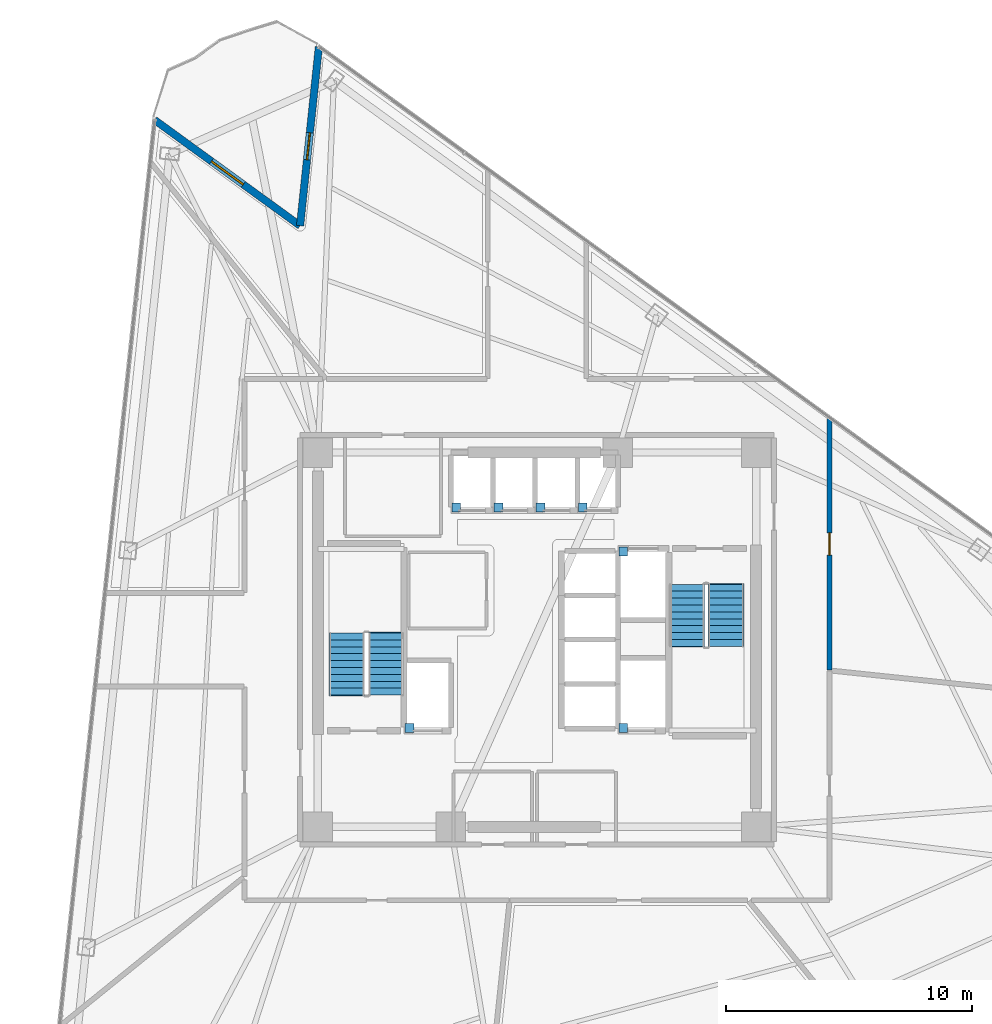
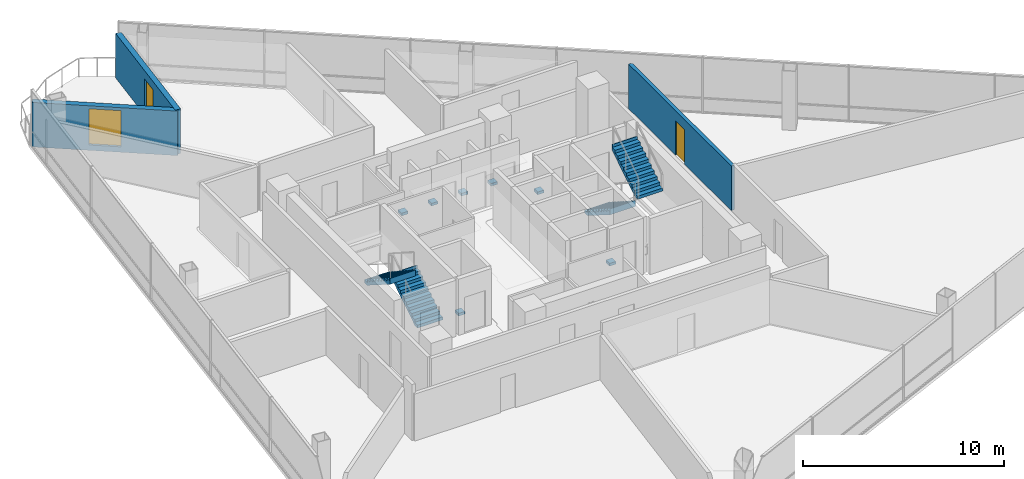
# One storey, part 13 of 17: 7 discrete accessories, 4 stair flights, 3 walls, 2 doors, 1 window, 3 openings, 2 elements without a shape of their own.
"""IFC4 building model written with IfcOpenShell, lengths in metres."""

from ifc_helpers import new_model, si_unit, direction, frame, frame_2d, origin, origin_2d, place, context, subcontext, project, spatial, polyline, rectangle, outline, extrude, material, layer, layer_set, type_object, element, fill, aggregate, save


model = new_model("IFC4")

# Units and contexts
model_context = context("Model", 3, precision=1e-05, world=origin(), true_north=direction((0.0, 1.0)))
body_context = subcontext(model_context, "Body", "Model", "MODEL_VIEW")
ifc_project = project(units=[si_unit("LENGTHUNIT", "METRE"), si_unit("AREAUNIT", "SQUARE_METRE"), si_unit("VOLUMEUNIT", "CUBIC_METRE"), si_unit("PLANEANGLEUNIT", "RADIAN"), si_unit("MASSUNIT", "GRAM", prefix="KILO")], contexts=[model_context])

# Site, building, storey
site_placement = place(None, origin())
site = spatial("IfcSite", under=ifc_project, at=site_placement, CompositionType="ELEMENT")
building_placement = place(site_placement, origin())
building = spatial("IfcBuilding", under=site, at=building_placement, Name="Tharavind Bronze Gate", CompositionType="ELEMENT")
storey_placement = place(building_placement, frame((0.0, 0.0, 119.64990234375)))
storey = spatial("IfcBuildingStorey", under=building, at=storey_placement, Name="L30", CompositionType="ELEMENT", Elevation=119.64990234375)

# Wall, opening, door
ifc_material_1 = material(Name="Concrete C40/50", Category="concrete")
ifc_layer_1 = layer(ifc_material_1, 0.300048828125)
ifc_layer_set_1 = layer_set([ifc_layer_1], Name="Concrete C40/50")
wall_type_1 = type_object("IfcWallType", Name="EXTERIOR SPANDREL WALL 300", PredefinedType="STANDARD", material=ifc_layer_set_1)
wall_1_placement = place(storey_placement, frame((-8.85888671875, 24.07080078125, 0.0), z_axis=(0.0, 0.0, 1.0), x_axis=(-0.104512431924, -0.9945235802, 0.0)))
wall_1 = element("IfcWall", 1, at=wall_1_placement, inside=storey, type_object=wall_type_1, Name="L30 notch cheek wall 1A", PredefinedType="STANDARD", context=body_context, shape_type="SweptSolid", body=[
    extrude(rectangle(XDim=7.300048828125, YDim=0.300048828125, at=frame_2d((3.64990234375, 0.0))), origin(), (0.0, 0.0, 1.0), 2.705078125),
])
opening_1_placement = place(wall_1_placement, frame((3.508056640625, 0.0, 0.0)))
opening_1 = element("IfcOpeningElement", 2, at=opening_1_placement, cuts=wall_1, Name="Opening ED04", PredefinedType="OPENING", context=body_context, shape_type="SweptSolid", body=[
    extrude(rectangle(XDim=1.10009765625, YDim=2.199951171875, at=frame_2d((0.550048828125, 1.10009765625))), frame((0.0, 0.15990234375, 0.0), z_axis=(0.0, -1.0, 0.0), x_axis=(1.0, 0.0, 0.0)), (0.0, 0.0, 1.0), 0.320048828125),
])
ifc_material_2 = material(Name="Bronze Aluminium & Toughened Glass", Category="aluminium")
door_type_1 = type_object("IfcDoorType", Name="TREE BALCONY ACCESS DOOR 1100X2200", OperationType="SINGLE_SWING_LEFT", PredefinedType="DOOR", material=ifc_material_2)
door_1_placement = place(opening_1_placement, origin())
door_1 = element("IfcDoor", 3, at=door_1_placement, inside=storey, type_object=door_type_1, Name="L30 tree balcony access door", OperationType="SINGLE_SWING_LEFT", OverallHeight=2.199951171875, OverallWidth=1.10009765625, PredefinedType="DOOR", context=body_context, shape_type="SweptSolid", body=[
    extrude(rectangle(XDim=1.10009765625, YDim=2.199951171875, at=frame_2d((0.550048828125, 1.10009765625))), frame((0.0, 0.02490234375, 0.0), z_axis=(0.0, -1.0, 0.0), x_axis=(1.0, 0.0, 0.0)), (0.0, 0.0, 1.0), 0.050048828125),
])
fill(opening_1, door_1)

# Wall, opening, window
wall_2_placement = place(storey_placement, frame((-9.621826171875, 16.810791015625, 0.0), z_axis=(0.0, 0.0, 1.0), x_axis=(-0.809002104592, 0.587805745775, 0.0)))
wall_2 = element("IfcWall", 4, at=wall_2_placement, inside=storey, type_object=wall_type_1, Name="L30 notch cheek wall 1B", PredefinedType="STANDARD", context=body_context, shape_type="SweptSolid", body=[
    extrude(rectangle(XDim=7.300048828125, YDim=0.300048828125, at=frame_2d((3.64990234375, 0.0))), origin(), (0.0, 0.0, 1.0), 2.705078125),
])
opening_2_placement = place(wall_2_placement, frame((2.85009765625, 0.0, 0.324951171875)))
opening_2 = element("IfcOpeningElement", 5, at=opening_2_placement, cuts=wall_2, Name="Opening W05", PredefinedType="OPENING", context=body_context, shape_type="SweptSolid", body=[
    extrude(rectangle(XDim=1.60009765625, YDim=2.199951171875, at=frame_2d((0.800048828125, 1.10009765625))), frame((0.0, 0.15990234375, 0.0), z_axis=(0.0, -1.0, 0.0), x_axis=(1.0, 0.0, 0.0)), (0.0, 0.0, 1.0), 0.320048828125),
])
ifc_material_3 = material(Name="Bronze Aluminium & Low-E Glass", Category="aluminium")
window_type = type_object("IfcWindowType", Name="OFFICE NOTCH BRONZE WINDOW 1600X2200", PartitioningType="DOUBLE_PANEL_VERTICAL", PredefinedType="WINDOW", material=ifc_material_3)
window_placement = place(opening_2_placement, origin())
window = element("IfcWindow", 6, at=window_placement, inside=storey, type_object=window_type, Name="L30 exterior window WL-L30-NCB1-01", OverallHeight=2.199951171875, OverallWidth=1.60009765625, PartitioningType="SINGLE_PANEL", PredefinedType="WINDOW", context=body_context, shape_type="SweptSolid", body=[
    extrude(rectangle(XDim=1.60009765625, YDim=2.199951171875, at=frame_2d((0.800048828125, 1.10009765625))), frame((0.0, 0.030029296875, 0.0), z_axis=(0.0, -1.0, 0.0), x_axis=(1.0, 0.0, 0.0)), (0.0, 0.0, 1.0), 0.06005859375),
])
fill(opening_2, window)

# Wall, opening, door
ifc_material_4 = material(Name="Aerated Concrete Block", Category="concrete")
ifc_layer_2 = layer(ifc_material_4, 0.199951171875)
ifc_layer_set_2 = layer_set([ifc_layer_2], Name="Aerated Concrete Block")
wall_type_2 = type_object("IfcWallType", Name="FIRE RATED PARTITION 200", PredefinedType="PARTITIONING", material=ifc_layer_set_2)
wall_3_placement = place(storey_placement, frame((11.8798828125, -1.22607421875, 0.0), z_axis=(0.0, 0.0, 1.0), x_axis=(0.0, 1.0, 0.0)))
wall_3 = element("IfcWall", 7, at=wall_3_placement, inside=storey, type_object=wall_type_2, Name="L30 Tea Pantry partition", PredefinedType="PARTITIONING", context=body_context, shape_type="SweptSolid", body=[
    extrude(rectangle(XDim=10.2294921875, YDim=0.199951171875, at=frame_2d((5.11474609375, 0.0))), origin(), (0.0, 0.0, 1.0), 2.705078125),
])
opening_3_placement = place(wall_3_placement, frame((4.6650390625, 0.0, 0.0)))
opening_3 = element("IfcOpeningElement", 8, at=opening_3_placement, cuts=wall_3, Name="Opening ID07", PredefinedType="OPENING", context=body_context, shape_type="SweptSolid", body=[
    extrude(rectangle(XDim=0.89990234375, YDim=2.10009765625, at=frame_2d((0.449951171875, 1.050048828125))), frame((0.0, 0.11009765625, 0.0), z_axis=(0.0, -1.0, 0.0), x_axis=(1.0, 0.0, 0.0)), (0.0, 0.0, 1.0), 0.219951171875),
])
ifc_material_5 = material(Name="Galvanised Fire Steel", Category="steel")
door_type_2 = type_object("IfcDoorType", Name="PLANT AND RISER FIRE DOOR 900X2100", OperationType="SINGLE_SWING_LEFT", PredefinedType="DOOR", material=ifc_material_5)
door_2_placement = place(opening_3_placement, origin())
door_2 = element("IfcDoor", 9, at=door_2_placement, inside=storey, type_object=door_type_2, Name="L30 Tea Pantry door", OperationType="SINGLE_SWING_LEFT", OverallHeight=2.10009765625, OverallWidth=0.89990234375, PredefinedType="DOOR", context=body_context, shape_type="SweptSolid", body=[
    extrude(rectangle(XDim=0.89990234375, YDim=2.10009765625, at=frame_2d((0.449951171875, 1.050048828125))), frame((0.0, 0.02490234375, 0.0), z_axis=(0.0, -1.0, 0.0), x_axis=(1.0, 0.0, 0.0)), (0.0, 0.0, 1.0), 0.050048828125),
])
fill(opening_3, door_2)

# Stair, stair flights
stair_type = type_object("IfcStairType", Name="CORE HALF TURN STAIR 1450", PredefinedType="HALF_TURN_STAIR", material=ifc_material_1)
stair_1_placement = place(storey_placement, origin())
stair_1 = element("IfcStair", 10, at=stair_1_placement, inside=storey, type_object=stair_type, Name="L30 Protected Exit Stair ST1", PredefinedType="HALF_TURN_STAIR")
stair_flight_type = type_object("IfcStairFlightType", Name="CORE STAIR FLIGHT 1450", PredefinedType="STRAIGHT", material=ifc_material_1)
stair_flight_1_placement = place(storey_placement, frame((-6.125, -2.25, 0.0), z_axis=(0.0, 0.0, 1.0), x_axis=(0.0, 1.0, 0.0)))
stair_flight_1 = element("IfcStairFlight", 11, at=stair_flight_1_placement, type_object=stair_flight_type, Name="ST1 flight 1", NumberOfRisers=10, NumberOfTreads=9, PredefinedType="STRAIGHT", RiserHeight=0.18, TreadLength=0.28, context=body_context, shape_type="SweptSolid", body=[
    extrude(outline(polyline([(0.0, 0.0), (0.0, 0.179931640625), (0.280029296875, 0.179931640625), (0.280029296875, 0.360107421875), (0.56005859375, 0.360107421875), (0.56005859375, 0.5400390625), (0.840087890625, 0.5400390625), (0.840087890625, 0.719970703125), (1.1201171875, 0.719970703125), (1.1201171875, 0.89990234375), (1.39990234375, 0.89990234375), (1.39990234375, 1.080078125), (1.679931640625, 1.080078125), (1.679931640625, 1.260009765625), (1.9599609375, 1.260009765625), (1.9599609375, 1.43994140625), (2.239990234375, 1.43994140625), (2.239990234375, 1.6201171875), (2.52001953125, 1.6201171875), (2.52001953125, 1.800048828125), (2.555908203125, 1.800048828125), (2.555908203125, 1.44189453125), (0.277099609375, 0.0), (0.0, 0.0)])), frame((0.0, 0.72509765625, 0.0), z_axis=(0.0, -1.0, 0.0), x_axis=(1.0, 0.0, 0.0)), (0.0, 0.0, 1.0), 1.449951171875),
])
stair_flight_2_placement = place(storey_placement, frame((-7.72509765625, 0.27001953125, 1.800048828125), z_axis=(0.0, 0.0, 1.0), x_axis=(0.0, -1.0, 0.0)))
stair_flight_2 = element("IfcStairFlight", 12, at=stair_flight_2_placement, type_object=stair_flight_type, Name="ST1 flight 2", NumberOfRisers=10, NumberOfTreads=9, PredefinedType="STRAIGHT", RiserHeight=0.18, TreadLength=0.28, context=body_context, shape_type="SweptSolid", body=[
    extrude(outline(polyline([(0.0, 0.0), (0.0, 0.179931640625), (0.280029296875, 0.179931640625), (0.280029296875, 0.360107421875), (0.56005859375, 0.360107421875), (0.56005859375, 0.5400390625), (0.840087890625, 0.5400390625), (0.840087890625, 0.719970703125), (1.1201171875, 0.719970703125), (1.1201171875, 0.89990234375), (1.39990234375, 0.89990234375), (1.39990234375, 1.080078125), (1.679931640625, 1.080078125), (1.679931640625, 1.260009765625), (1.9599609375, 1.260009765625), (1.9599609375, 1.43994140625), (2.239990234375, 1.43994140625), (2.239990234375, 1.6201171875), (2.52001953125, 1.6201171875), (2.52001953125, 1.800048828125), (2.555908203125, 1.800048828125), (2.555908203125, 1.44189453125), (0.277099609375, 0.0), (0.0, 0.0)])), frame((0.0, 0.72509765625, 0.0), z_axis=(0.0, -1.0, 0.0), x_axis=(1.0, 0.0, 0.0)), (0.0, 0.0, 1.0), 1.449951171875),
])
aggregate(stair_1, [stair_flight_1, stair_flight_2])

stair_2_placement = place(storey_placement, origin())
stair_2 = element("IfcStair", 13, at=stair_2_placement, inside=storey, type_object=stair_type, Name="L30 Protected Exit Stair ST2", PredefinedType="HALF_TURN_STAIR")
stair_flight_3_placement = place(storey_placement, frame((6.074951171875, 2.25, 0.0), z_axis=(0.0, 0.0, 1.0), x_axis=(0.0, -1.0, 0.0)))
stair_flight_3 = element("IfcStairFlight", 14, at=stair_flight_3_placement, type_object=stair_flight_type, Name="ST2 flight 1", NumberOfRisers=10, NumberOfTreads=9, PredefinedType="STRAIGHT", RiserHeight=0.18, TreadLength=0.28, context=body_context, shape_type="SweptSolid", body=[
    extrude(outline(polyline([(0.0, 0.0), (0.0, 0.179931640625), (0.280029296875, 0.179931640625), (0.280029296875, 0.360107421875), (0.56005859375, 0.360107421875), (0.56005859375, 0.5400390625), (0.840087890625, 0.5400390625), (0.840087890625, 0.719970703125), (1.1201171875, 0.719970703125), (1.1201171875, 0.89990234375), (1.39990234375, 0.89990234375), (1.39990234375, 1.080078125), (1.679931640625, 1.080078125), (1.679931640625, 1.260009765625), (1.9599609375, 1.260009765625), (1.9599609375, 1.43994140625), (2.239990234375, 1.43994140625), (2.239990234375, 1.6201171875), (2.52001953125, 1.6201171875), (2.52001953125, 1.800048828125), (2.555908203125, 1.800048828125), (2.555908203125, 1.44189453125), (0.277099609375, 0.0), (0.0, 0.0)])), frame((0.0, 0.72509765625, 0.0), z_axis=(0.0, -1.0, 0.0), x_axis=(1.0, 0.0, 0.0)), (0.0, 0.0, 1.0), 1.449951171875),
])
stair_flight_4_placement = place(storey_placement, frame((7.675048828125, -0.27001953125, 1.800048828125), z_axis=(0.0, 0.0, 1.0), x_axis=(0.0, 1.0, 0.0)))
stair_flight_4 = element("IfcStairFlight", 15, at=stair_flight_4_placement, type_object=stair_flight_type, Name="ST2 flight 2", NumberOfRisers=10, NumberOfTreads=9, PredefinedType="STRAIGHT", RiserHeight=0.18, TreadLength=0.28, context=body_context, shape_type="SweptSolid", body=[
    extrude(outline(polyline([(0.0, 0.0), (0.0, 0.179931640625), (0.280029296875, 0.179931640625), (0.280029296875, 0.360107421875), (0.56005859375, 0.360107421875), (0.56005859375, 0.5400390625), (0.840087890625, 0.5400390625), (0.840087890625, 0.719970703125), (1.1201171875, 0.719970703125), (1.1201171875, 0.89990234375), (1.39990234375, 0.89990234375), (1.39990234375, 1.080078125), (1.679931640625, 1.080078125), (1.679931640625, 1.260009765625), (1.9599609375, 1.260009765625), (1.9599609375, 1.43994140625), (2.239990234375, 1.43994140625), (2.239990234375, 1.6201171875), (2.52001953125, 1.6201171875), (2.52001953125, 1.800048828125), (2.555908203125, 1.800048828125), (2.555908203125, 1.44189453125), (0.277099609375, 0.0), (0.0, 0.0)])), frame((0.0, 0.72509765625, 0.0), z_axis=(0.0, -1.0, 0.0), x_axis=(1.0, 0.0, 0.0)), (0.0, 0.0, 1.0), 1.449951171875),
])
aggregate(stair_2, [stair_flight_3, stair_flight_4])

# Discrete accessories
ifc_material_6 = material(Name="Galvanised Steel S355", Category="steel")
discrete_accessory_type = type_object("IfcDiscreteAccessoryType", Name="LIFT GUIDE RAIL BRACKET", PredefinedType="BRACKET", material=ifc_material_6)
for number, where, z_axis, x_axis, name in (
    (16, (-3.280029296875, 5.3701171875, 1.1201171875), (0.0, 0.0, 1.0), (1.0, 0.0, 0.0), "Lift PL5 guide rail bracket at L30"),
    (17, (-1.5673828125, 5.3701171875, 1.1201171875), (0.0, 0.0, 1.0), (1.0, 0.0, 0.0), "Lift PL6 guide rail bracket at L30"),
    (18, (0.14501953125, 5.3701171875, 1.1201171875), (0.0, 0.0, 1.0), (1.0, 0.0, 0.0), "Lift PL7 guide rail bracket at L30"),
    (19, (1.857421875, 5.3701171875, 1.1201171875), (0.0, 0.0, 1.0), (1.0, 0.0, 0.0), "Lift PL8 guide rail bracket at L30"),
    (20, (-5.179931640625, -3.580078125, 1.1201171875), (0.0, 0.0, 1.0), (1.0, 0.0, 0.0), "Lift FFL1 guide rail bracket at L30"),
    (21, (3.5, 3.580078125, 1.1201171875), (0.0, 0.0, 1.0), (1.0, 0.0, 0.0), "Lift FFL2 guide rail bracket at L30"),
    (22, (3.5, -3.580078125, 1.1201171875), (0.0, 0.0, 1.0), (1.0, 0.0, 0.0), "Lift SVL1 guide rail bracket at L30"),
):
    element("IfcDiscreteAccessory", number, at=place(storey_placement, frame(where, z_axis=z_axis, x_axis=x_axis)), inside=storey, type_object=discrete_accessory_type, Name=name, PredefinedType="BRACKET", context=body_context, shape_type="SweptSolid", body=[
        extrude(rectangle(XDim=0.360107421875, YDim=0.360107421875, at=origin_2d()), origin(), (0.0, 0.0, 1.0), 0.159912109375),
    ])

save(model, "model.ifc")
